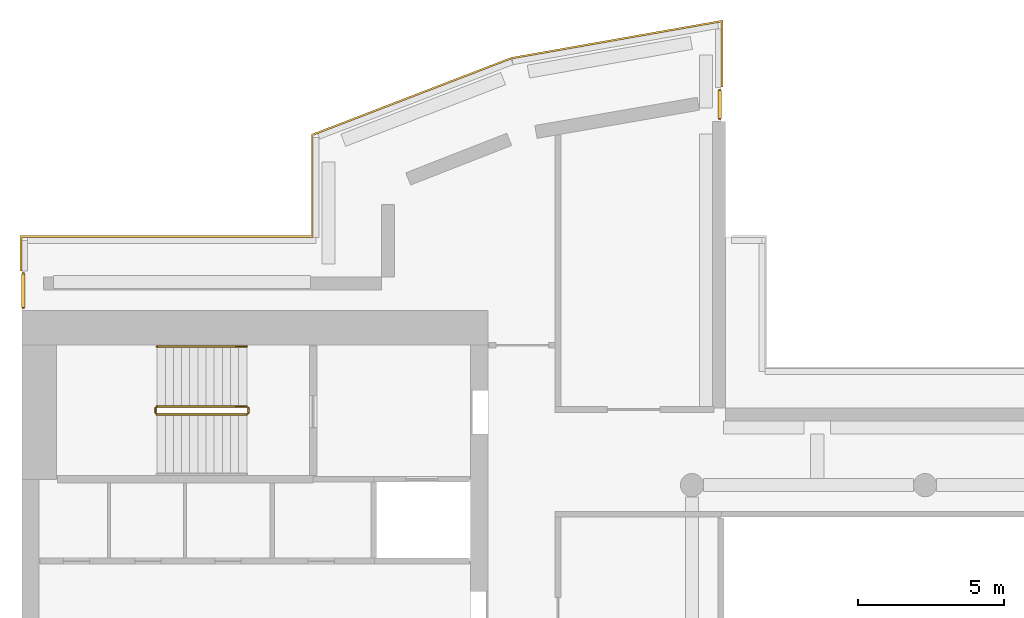
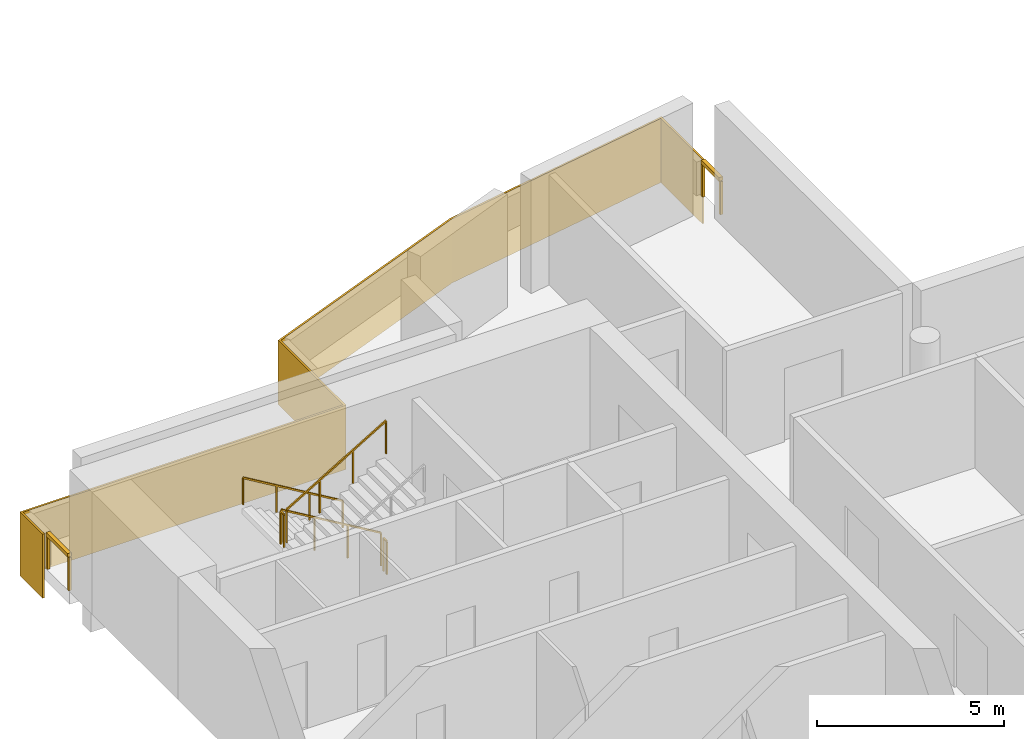
# One storey, part 8 of 8: 7 railings, 1 covering.
"""IFC4 building model written with IfcOpenShell, lengths in metres."""

import ifcopenshell
import ifcopenshell.guid

model = None  # the IFC model being written
_history = None  # IfcOwnerHistory: only IFC2X3 demands one
_inside = {}  # id of a spatial element -> (the spatial element, [elements in it])
_under = {}  # id of a project, library or spatial element -> (it, [spatial elements below it])
_declared = {}  # id of a project -> (the project, [libraries it declares])
_typed = {}  # id of a type object -> (the type object, [elements of that type])
_made_of = {}  # id of a material, layer set ... -> (it, [elements and type objects made of it])


def new_model(schema):
    """Start an empty IFC model of exactly this schema.

    Asked for "IFC4X3", IfcOpenShell would pick the latest addendum, in which some entities
    have other attributes; the version numbers below select the first issue.
    IFC2X3 requires an IfcOwnerHistory on every rooted entity: one is made here for all.
    """
    global model, _history
    if schema == "IFC4X3":
        model = ifcopenshell.file(schema_version=(4, 3, 0, 0))
    else:
        model = ifcopenshell.file(schema=schema)
    _inside.clear()
    _under.clear()
    _declared.clear()
    _typed.clear()
    _made_of.clear()
    _history = None
    if model.schema == "IFC2X3":
        org = make("IfcOrganization", Name="unknown")
        user = make(
            "IfcPersonAndOrganization",
            ThePerson=make("IfcPerson", FamilyName="unknown"),
            TheOrganization=org,
        )
        app = make(
            "IfcApplication",
            ApplicationDeveloper=org,
            Version="unknown",
            ApplicationFullName="unknown",
            ApplicationIdentifier="unknown",
        )
        _history = make(
            "IfcOwnerHistory",
            OwningUser=user,
            OwningApplication=app,
            ChangeAction="ADDED",
            CreationDate=0,
        )
    return model


def make(cls, **values):
    """One entity of the class cls with the attributes given. An attribute that is None is left unset."""
    return model.create_entity(
        cls, **{name: value for name, value in values.items() if value is not None}
    )


def rooted(cls, **values):
    """An entity with a GlobalId (a new one), such as an element, a storey or a relation."""
    return make(cls, GlobalId=ifcopenshell.guid.new(), OwnerHistory=_history, **values)


def si_unit(unit_type, name, prefix=None):
    """IfcSIUnit, for example si_unit("LENGTHUNIT", "METRE", prefix="MILLI")."""
    return make("IfcSIUnit", UnitType=unit_type, Prefix=prefix, Name=name)


def assignment(units):
    """IfcUnitAssignment: the units of a project."""
    return None if units is None else make("IfcUnitAssignment", Units=units)


def point(xyz):
    """IfcCartesianPoint."""
    return None if xyz is None else make("IfcCartesianPoint", Coordinates=xyz)


def direction(xyz):
    """IfcDirection."""
    return None if xyz is None else make("IfcDirection", DirectionRatios=xyz)


def frame(location, z_axis=None, x_axis=None):
    """IfcAxis2Placement3D, a coordinate frame: its origin and axes. An axis left out is left unset."""
    return make(
        "IfcAxis2Placement3D",
        Location=point(location),
        Axis=direction(z_axis),
        RefDirection=direction(x_axis),
    )


def frame_2d(location, x_axis=None):
    """IfcAxis2Placement2D, a coordinate frame in the plane: its origin and x axis."""
    return make(
        "IfcAxis2Placement2D", Location=point(location), RefDirection=direction(x_axis)
    )


def origin():
    """The frame at (0, 0, 0) with its axes left unset."""
    return frame((0.0, 0.0, 0.0))


def origin_2d():
    """The frame at (0, 0) in the plane with its x axis left unset."""
    return frame_2d((0.0, 0.0))


def place(relative_to, where):
    """IfcLocalPlacement: puts the frame where relative to a parent placement (None: the world)."""
    return make(
        "IfcLocalPlacement", PlacementRelTo=relative_to, RelativePlacement=where
    )


def context(
    kind, dimensions, precision=None, world=None, true_north=None, identifier=None
):
    """IfcGeometricRepresentationContext, for example the 3D "Model" context."""
    return make(
        "IfcGeometricRepresentationContext",
        ContextIdentifier=identifier,
        ContextType=kind,
        CoordinateSpaceDimension=dimensions,
        Precision=precision,
        WorldCoordinateSystem=world,
        TrueNorth=true_north,
    )


def subcontext(parent, identifier, kind, view, scale=None):
    """IfcGeometricRepresentationSubContext, for example "Body" below "Model"."""
    return make(
        "IfcGeometricRepresentationSubContext",
        ContextIdentifier=identifier,
        ContextType=kind,
        ParentContext=parent,
        TargetScale=scale,
        TargetView=view,
    )


def project(units=None, contexts=None):
    """IfcProject with its units and contexts."""
    return rooted(
        "IfcProject",
        Name="project",
        RepresentationContexts=contexts,
        UnitsInContext=assignment(units),
    )


def spatial(cls, under=None, at=None, **own):
    """A site, building, storey or space (cls), placed at a placement, below another one or the project."""
    s = rooted(cls, ObjectPlacement=at, **own)
    if under is not None:
        _under.setdefault(under.id(), (under, []))[1].append(s)
    return s


def polyline(points):
    """IfcPolyline through the points."""
    return make("IfcPolyline", Points=[point(p) for p in points])


def profile(cls, at=None, kind="AREA", **sizes):
    """A parametric profile (cls). Its sizes go by their IFC names, for example OverallWidth=200.0."""
    return make(cls, ProfileType=kind, Position=at, **sizes)


def rectangle(**sizes):
    """IfcRectangleProfileDef."""
    return profile("IfcRectangleProfileDef", **sizes)


def outline(outer, holes=None, kind="AREA"):
    """IfcArbitraryClosedProfileDef: a profile drawn as a closed curve; with holes, ...WithVoids."""
    if holes is None:
        return make("IfcArbitraryClosedProfileDef", ProfileType=kind, OuterCurve=outer)
    return make(
        "IfcArbitraryProfileDefWithVoids",
        ProfileType=kind,
        OuterCurve=outer,
        InnerCurves=holes,
    )


def extrude(swept, where, along, depth):
    """IfcExtrudedAreaSolid: the profile swept, set in the frame where, extruded along a direction by depth."""
    return make(
        "IfcExtrudedAreaSolid",
        SweptArea=swept,
        Position=where,
        ExtrudedDirection=direction(along),
        Depth=depth,
    )


def shape(context_of_items, identifier, shape_type, items):
    """IfcShapeRepresentation: the items that make up one representation, for example the "Body"."""
    return make(
        "IfcShapeRepresentation",
        ContextOfItems=context_of_items,
        RepresentationIdentifier=identifier,
        RepresentationType=shape_type,
        Items=items,
    )


def material(Name=None, Category=None):
    """IfcMaterial."""
    return make("IfcMaterial", Name=Name, Category=Category)


def layer(
    of_material, thickness, ventilated=None, Name=None, Category=None, Priority=None
):
    """IfcMaterialLayer: one layer of a wall or slab, of a material (None: an air gap)."""
    return make(
        "IfcMaterialLayer",
        Material=of_material,
        LayerThickness=thickness,
        IsVentilated=ventilated,
        Name=Name,
        Category=Category,
        Priority=Priority,
    )


def layer_set(layers, Name=None):
    """IfcMaterialLayerSet."""
    return make("IfcMaterialLayerSet", MaterialLayers=layers, LayerSetName=Name)


def made_of(thing, what):
    """Note that an element or type object is made of a material, layer set ...; save() writes the relation."""
    if what is not None:
        _made_of.setdefault(what.id(), (what, []))[1].append(thing)
    return thing


def type_object(cls, material=None, **own):
    """A type object (cls), such as IfcWallType, which elements share."""
    return made_of(rooted(cls, **own), material)


def element(
    cls,
    number,
    at=None,
    inside=None,
    cuts=None,
    type_object=None,
    material=None,
    context=None,
    identifier="Body",
    shape_type=None,
    held_by="IfcProductDefinitionShape",
    body=None,
    shapes=None,
    **own,
):
    """One element of the class cls, such as IfcWall. Its Tag is "e" and its number.

    at: its placement. inside: the storey or other place that contains it. cuts: it is an
    opening in that element (IfcRelVoidsElement). A single representation is given by context,
    identifier, shape_type and body (its items); several are given by shapes. held_by: the class
    of the entity that holds the representations. save() writes the other relations.
    """
    e = rooted(cls, Tag="e%d" % number, ObjectPlacement=at, **own)
    if body is not None:
        shapes = [shape(context, identifier, shape_type, body)]
    if shapes is not None:
        e.Representation = make(held_by, Representations=shapes)
    if inside is not None:
        _inside.setdefault(inside.id(), (inside, []))[1].append(e)
    if cuts is not None:
        rooted(
            "IfcRelVoidsElement", RelatingBuildingElement=cuts, RelatedOpeningElement=e
        )
    if type_object is not None:
        _typed.setdefault(type_object.id(), (type_object, []))[1].append(e)
    return made_of(e, material)


def aggregate(whole, parts):
    """IfcRelAggregates: a whole, such as a stair, and the parts it consists of."""
    return rooted("IfcRelAggregates", RelatingObject=whole, RelatedObjects=parts)


def save(model, path):
    """Write the relations noted so far, then the file.

    IfcRelAggregates (storeys below a building ...), IfcRelContainedInSpatialStructure (elements
    in a storey), IfcRelDefinesByType, IfcRelAssociatesMaterial and IfcRelDeclares: one each for
    every whole, place, type object, material and project.
    """
    for whole, parts in _under.values():
        aggregate(whole, parts)
    for where, things in _inside.values():
        rooted(
            "IfcRelContainedInSpatialStructure",
            RelatedElements=things,
            RelatingStructure=where,
        )
    for kind, things in _typed.values():
        rooted("IfcRelDefinesByType", RelatedObjects=things, RelatingType=kind)
    for what, things in _made_of.values():
        rooted("IfcRelAssociatesMaterial", RelatedObjects=things, RelatingMaterial=what)
    for by, libraries in _declared.values():
        rooted("IfcRelDeclares", RelatingContext=by, RelatedDefinitions=libraries)
    model.write(path)


model = new_model("IFC4")

# Units and contexts
model_context = context("Model", 3, precision=1e-05, world=origin(), true_north=direction((0.0, 1.0)))
body_context = subcontext(model_context, "Body", "Model", "MODEL_VIEW")
ifc_project = project(units=[si_unit("LENGTHUNIT", "METRE"), si_unit("AREAUNIT", "SQUARE_METRE"), si_unit("VOLUMEUNIT", "CUBIC_METRE"), si_unit("PLANEANGLEUNIT", "RADIAN"), si_unit("MASSUNIT", "GRAM", prefix="KILO")], contexts=[model_context])

# Site, building, storey
site_placement = place(None, origin())
site = spatial("IfcSite", under=ifc_project, at=site_placement, CompositionType="ELEMENT")
building_placement = place(site_placement, origin())
building = spatial("IfcBuilding", under=site, at=building_placement, Name="Cypress Arch Tower", CompositionType="ELEMENT")
storey_placement = place(building_placement, frame((0.0, 0.0, 343.0)))
storey = spatial("IfcBuildingStorey", under=building, at=storey_placement, Name="L78", CompositionType="ELEMENT", Elevation=343.0)

# Covering
ifc_material_1 = material(Name="White powder-coated aluminium fascia", Category="aluminium")
ifc_layer = layer(ifc_material_1, 0.06005859375)
ifc_layer_set = layer_set([ifc_layer], Name="Canopy fascia CF60")
covering_type = type_object("IfcCoveringType", Name="Canopy fascia CF60", PredefinedType="CLADDING", material=ifc_layer_set)
covering_placement = place(storey_placement, frame((0.0, 0.0, -1.0)))
element("IfcCovering", 1, at=covering_placement, inside=storey, type_object=covering_type, Name="Canopy fascia L78", PredefinedType="CLADDING", context=body_context, shape_type="SweptSolid", body=[
    extrude(outline(polyline([(-30.06005859375, 18.56005859375), (-20.06005859375, 18.56005859375), (-20.06005859375, 22.041259765625), (-13.216064453125, 24.677978515625), (-5.93994140625, 25.96142578125), (-5.93994140625, 23.665771484375), (-6.0, 23.6552734375), (-6.0, 25.889892578125), (-13.199951171875, 24.6201171875), (-20.0, 22.0), (-20.0, 18.5), (-30.0, 18.5), (-30.0, 17.5), (-30.0, 17.35009765625), (-30.06005859375, 17.35009765625), (-30.06005859375, 18.56005859375)])), origin(), (0.0, 0.0, 1.0), 2.10009765625),
])

# Railings
ifc_material_2 = material(Name="Stainless steel posts and handrail, laminated glass infill", Category="steel")
railing_type_1 = type_object("IfcRailingType", Name="Deck guard GR1200D", PredefinedType="GUARDRAIL", material=ifc_material_2)
railing_1_placement = place(storey_placement, frame((-29.949951171875, 16.10009765625, 0.0)))
element("IfcRailing", 2, at=railing_1_placement, inside=storey, type_object=railing_type_1, Name="Crown edge guard L78 2", PredefinedType="GUARDRAIL", context=body_context, shape_type="SweptSolid", body=[
    extrude(rectangle(XDim=0.1201171875, YDim=0.1201171875, at=origin_2d()), frame((0.0, 0.0, 1.139892578125), z_axis=(0.0, 1.0, 0.0), x_axis=(-1.0, 0.0, 0.0)), (0.0, 0.0, 1.0), 1.14990234375),
    extrude(rectangle(XDim=0.080078125, YDim=0.080078125, at=origin_2d()), origin(), (0.0, 0.0, 1.0), 1.079833984375),
    extrude(rectangle(XDim=0.080078125, YDim=0.080078125, at=origin_2d()), frame((0.0, 1.14990234375, 0.0)), (0.0, 0.0, 1.0), 1.079833984375),
])
railing_2_placement = place(storey_placement, frame((-6.050048828125, 23.537841796875, 0.0)))
element("IfcRailing", 3, at=railing_2_placement, inside=storey, type_object=railing_type_1, Name="Crown edge guard L78 3", PredefinedType="GUARDRAIL", context=body_context, shape_type="SweptSolid", body=[
    extrude(rectangle(XDim=0.1201171875, YDim=0.1201171875, at=origin_2d()), frame((0.0, 0.0, 1.139892578125), z_axis=(0.0, -1.0, 0.0), x_axis=(1.0, 0.0, 0.0)), (0.0, 0.0, 1.0), 0.951171875),
    extrude(rectangle(XDim=0.080078125, YDim=0.080078125, at=origin_2d()), origin(), (0.0, 0.0, 1.0), 1.079833984375),
    extrude(rectangle(XDim=0.080078125, YDim=0.080078125, at=origin_2d()), frame((0.0, -0.951171875, 0.0)), (0.0, 0.0, 1.0), 1.079833984375),
])
ifc_material_3 = material(Name="Black powder-coated steel square bar 48 mm", Category="steel")
railing_type_2 = type_object("IfcRailingType", Name="Stair handrail HR1", PredefinedType="HANDRAIL", material=ifc_material_3)
railing_3_placement = place(storey_placement, frame((-22.27490234375, 14.75, 0.166748046875)))
element("IfcRailing", 4, at=railing_3_placement, inside=storey, type_object=railing_type_2, Name="L78 B stair handrail 1", PredefinedType="HANDRAIL", context=body_context, shape_type="SweptSolid", body=[
    extrude(rectangle(XDim=0.048095703125, YDim=0.048095703125, at=origin_2d()), frame((0.0, 0.0, 0.8759765625), z_axis=(-0.859308565015, 0.0, 0.511457515432), x_axis=(0.0, -1.0, 0.0)), (0.0, 0.0, 1.0), 3.58447265625),
    extrude(rectangle(XDim=0.0419921875, YDim=0.0419921875, at=origin_2d()), origin(), (0.0, 0.0, 1.0), 0.851806640625),
    extrude(rectangle(XDim=0.0419921875, YDim=0.0419921875, at=origin_2d()), frame((-1.026611328125, 0.0, 0.611083984375)), (0.0, 0.0, 1.0), 0.851806640625),
    extrude(rectangle(XDim=0.0419921875, YDim=0.0419921875, at=origin_2d()), frame((-2.053466796875, 0.0, 1.22216796875)), (0.0, 0.0, 1.0), 0.851806640625),
    extrude(rectangle(XDim=0.0419921875, YDim=0.0419921875, at=origin_2d()), frame((-3.080078125, 0.0, 1.833251953125)), (0.0, 0.0, 1.0), 0.851806640625),
])
ifc_material_4 = material(Name="Black powder-coated steel balusters", Category="steel")
railing_type_3 = type_object("IfcRailingType", Name="Stair well guard G1", PredefinedType="GUARDRAIL", material=ifc_material_4)
railing_4_placement = place(storey_placement, frame((-22.27490234375, 12.699951171875, 0.166748046875)))
element("IfcRailing", 5, at=railing_4_placement, inside=storey, type_object=railing_type_3, Name="L78 B stair guard 1", PredefinedType="GUARDRAIL", context=body_context, shape_type="SweptSolid", body=[
    extrude(rectangle(XDim=0.048095703125, YDim=0.048095703125, at=origin_2d()), frame((0.0, 0.0, 1.076171875), z_axis=(-0.859308565015, 0.0, 0.511457515432), x_axis=(0.0, -1.0, 0.0)), (0.0, 0.0, 1.0), 3.58447265625),
    extrude(rectangle(XDim=0.0419921875, YDim=0.0419921875, at=origin_2d()), origin(), (0.0, 0.0, 1.0), 1.052001953125),
    extrude(rectangle(XDim=0.0419921875, YDim=0.0419921875, at=origin_2d()), frame((-1.026611328125, 0.0, 0.611083984375)), (0.0, 0.0, 1.0), 1.052001953125),
    extrude(rectangle(XDim=0.0419921875, YDim=0.0419921875, at=origin_2d()), frame((-2.053466796875, 0.0, 1.22216796875)), (0.0, 0.0, 1.0), 1.052001953125),
    extrude(rectangle(XDim=0.0419921875, YDim=0.0419921875, at=origin_2d()), frame((-3.080078125, 0.0, 1.833251953125)), (0.0, 0.0, 1.0), 1.052001953125),
])
railing_5_placement = place(storey_placement, frame((-25.405029296875, 12.64990234375, 2.0)))
element("IfcRailing", 6, at=railing_5_placement, inside=storey, type_object=railing_type_3, Name="L78 B stair guard 2", PredefinedType="GUARDRAIL", context=body_context, shape_type="SweptSolid", body=[
    extrude(rectangle(XDim=0.048095703125, YDim=0.048095703125, at=origin_2d()), frame((0.0, 0.0, 1.076171875), z_axis=(0.0, -1.0, 0.0), x_axis=(1.0, 0.0, 0.0)), (0.0, 0.0, 1.0), 0.1748046875),
    extrude(rectangle(XDim=0.0419921875, YDim=0.0419921875, at=origin_2d()), origin(), (0.0, 0.0, 1.0), 1.052001953125),
    extrude(rectangle(XDim=0.0419921875, YDim=0.0419921875, at=origin_2d()), frame((0.0, -0.1748046875, 0.0)), (0.0, 0.0, 1.0), 1.052001953125),
])
railing_6_placement = place(storey_placement, frame((-25.35498046875, 12.425048828125, 2.166748046875)))
element("IfcRailing", 7, at=railing_6_placement, inside=storey, type_object=railing_type_3, Name="L78 B stair guard 3", PredefinedType="GUARDRAIL", context=body_context, shape_type="SweptSolid", body=[
    extrude(rectangle(XDim=0.048095703125, YDim=0.048095703125, at=origin_2d()), frame((0.0, 0.0, 1.076171875), z_axis=(0.859308565015, 0.0, 0.511457515432), x_axis=(0.0, 1.0, 0.0)), (0.0, 0.0, 1.0), 3.58447265625),
    extrude(rectangle(XDim=0.0419921875, YDim=0.0419921875, at=origin_2d()), origin(), (0.0, 0.0, 1.0), 1.052001953125),
    extrude(rectangle(XDim=0.0419921875, YDim=0.0419921875, at=origin_2d()), frame((1.026611328125, 0.0, 0.611083984375)), (0.0, 0.0, 1.0), 1.052001953125),
    extrude(rectangle(XDim=0.0419921875, YDim=0.0419921875, at=origin_2d()), frame((2.053466796875, 0.0, 1.22216796875)), (0.0, 0.0, 1.0), 1.052001953125),
    extrude(rectangle(XDim=0.0419921875, YDim=0.0419921875, at=origin_2d()), frame((3.080078125, 0.0, 1.833251953125)), (0.0, 0.0, 1.0), 1.052001953125),
])
railing_7_placement = place(storey_placement, frame((-22.22509765625, 12.64990234375, 0.0)))
element("IfcRailing", 8, at=railing_7_placement, inside=storey, type_object=railing_type_3, Name="L78 B stair guard 4", PredefinedType="GUARDRAIL", context=body_context, shape_type="SweptSolid", body=[
    extrude(rectangle(XDim=0.048095703125, YDim=0.048095703125, at=origin_2d()), frame((0.0, 0.0, 1.076171875), z_axis=(0.0, -1.0, 0.0), x_axis=(1.0, 0.0, 0.0)), (0.0, 0.0, 1.0), 0.1748046875),
    extrude(rectangle(XDim=0.0419921875, YDim=0.0419921875, at=origin_2d()), origin(), (0.0, 0.0, 1.0), 1.052001953125),
    extrude(rectangle(XDim=0.0419921875, YDim=0.0419921875, at=origin_2d()), frame((0.0, -0.1748046875, 0.0)), (0.0, 0.0, 1.0), 1.052001953125),
])

save(model, "model.ifc")
